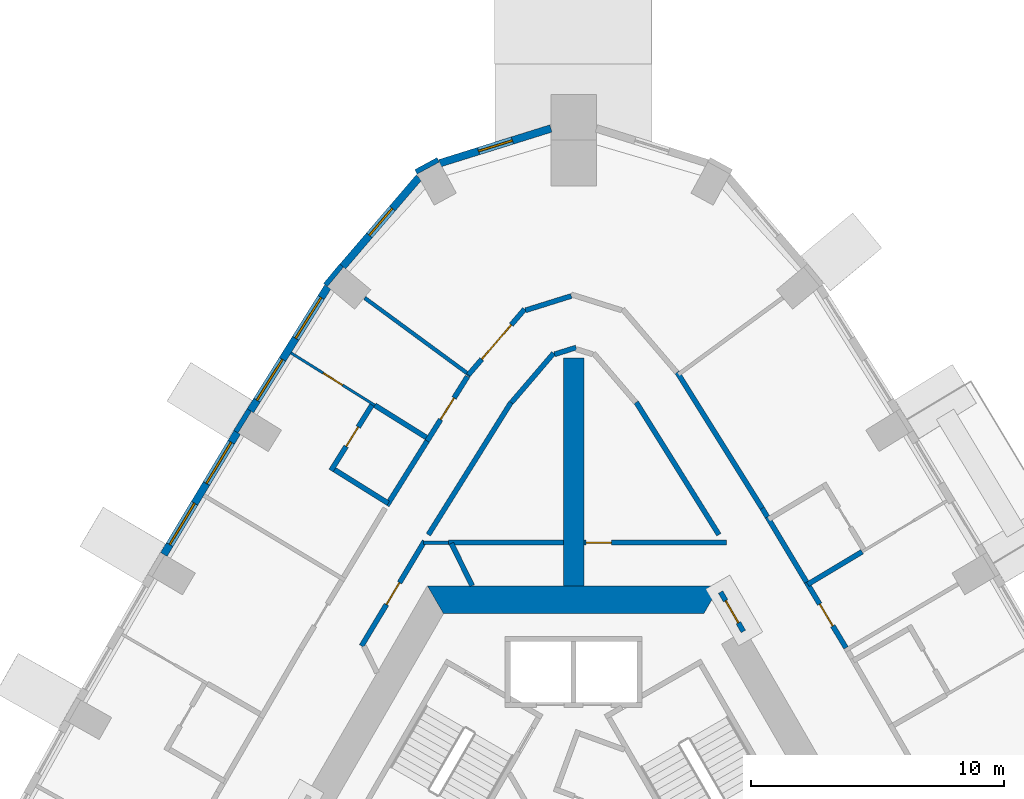
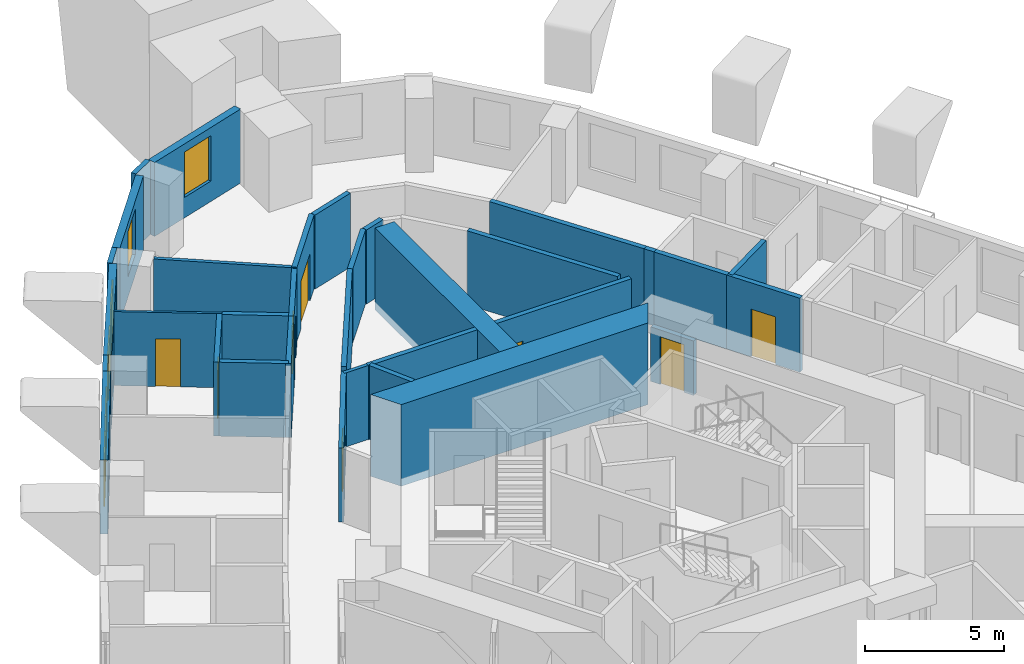
# One storey, part 8 of 12: 33 walls, 8 doors, 6 windows, 14 openings.
"""IFC4 building model written with IfcOpenShell, lengths in metres."""

from ifc_helpers import new_model, si_unit, direction, frame, frame_2d, origin, place, context, subcontext, project, spatial, polyline, rectangle, outline, extrude, material, layer, layer_set, type_object, element, fill, save


model = new_model("IFC4")

# Units and contexts
model_context = context("Model", 3, precision=1e-05, world=origin(), true_north=direction((0.0, 1.0)))
body_context = subcontext(model_context, "Body", "Model", "MODEL_VIEW")
ifc_project = project(units=[si_unit("LENGTHUNIT", "METRE"), si_unit("AREAUNIT", "SQUARE_METRE"), si_unit("VOLUMEUNIT", "CUBIC_METRE"), si_unit("PLANEANGLEUNIT", "RADIAN"), si_unit("MASSUNIT", "GRAM", prefix="KILO")], contexts=[model_context])

# Site, building, storey
site_placement = place(None, origin())
site = spatial("IfcSite", under=ifc_project, at=site_placement, CompositionType="ELEMENT")
building_placement = place(site_placement, origin())
building = spatial("IfcBuilding", under=site, at=building_placement, Name="Entoto Arch Interchange Tower", CompositionType="ELEMENT")
storey_placement = place(building_placement, frame((0.0, 0.0, 273.800048828125)))
storey = spatial("IfcBuildingStorey", under=building, at=storey_placement, Name="L63", CompositionType="ELEMENT", Elevation=273.800048828125)

# Wall
ifc_material_1 = material(Name="Concrete C40/50", Category="concrete")
ifc_layer_1 = layer(ifc_material_1, 0.800048828125)
ifc_layer_set_1 = layer_set([ifc_layer_1], Name="Concrete C40/50")
wall_type_1 = type_object("IfcWallType", Name="Buttress wall 800 C40/50", PredefinedType="SHEAR", material=ifc_layer_set_1)
wall_1_placement = place(storey_placement, frame((0.0, 12.5, -0.340087890625), z_axis=(0.0, 0.0, 1.0), x_axis=(0.0, 1.0, 0.0)))
element("IfcWall", 1, at=wall_1_placement, inside=storey, type_object=wall_type_1, Name="Buttress wall N L63", PredefinedType="SHEAR", context=body_context, shape_type="SweptSolid", body=[
    extrude(rectangle(XDim=9.0, YDim=0.800048828125, at=frame_2d((4.5, 0.0))), origin(), (0.0, 0.0, 1.0), 3.60009765625),
])

# Wall, opening, door
ifc_material_2 = material(Name="Reinforced concrete C40/50", Category="concrete")
ifc_layer_2 = layer(ifc_material_2, 0.199951171875)
ifc_layer_set_2 = layer_set([ifc_layer_2], Name="Reinforced concrete C40/50")
wall_type_2 = type_object("IfcWallType", Name="CORE GAP INFILL WALL", PredefinedType="PARTITIONING", material=ifc_layer_set_2)
wall_2_placement = place(storey_placement, frame((6.698974609375, 10.697021484375, 0.0), z_axis=(0.0, 0.0, 1.0), x_axis=(-0.499914839587, 0.866074565589, 0.0)))
wall_2 = element("IfcWall", 2, at=wall_2_placement, inside=storey, type_object=wall_type_2, Name="wall:L63:gap2", PredefinedType="PARTITIONING", context=body_context, shape_type="SweptSolid", body=[
    extrude(rectangle(XDim=1.794189453125, YDim=0.199951171875, at=frame_2d((0.89697265625, 0.0))), origin(), (0.0, 0.0, 1.0), 2.39990234375),
])
opening_1_placement = place(wall_2_placement, frame((0.39697265625, 0.0, 0.0)))
opening_1 = element("IfcOpeningElement", 3, at=opening_1_placement, cuts=wall_2, Name="Opening L63-D92", PredefinedType="OPENING", context=body_context, shape_type="SweptSolid", body=[
    extrude(rectangle(XDim=1.0, YDim=2.10009765625, at=frame_2d((0.5, 1.050048828125))), frame((0.0, 0.10986328125, 0.0), z_axis=(0.0, -1.0, 0.0), x_axis=(1.0, 0.0, 0.0)), (0.0, 0.0, 1.0), 0.219970703125),
])
ifc_material_3 = material(Name="Fire-rated Steel S235 door and frame", Category="steel")
door_type_1 = type_object("IfcDoorType", Name="DOOR FD-10 1000x2100", OperationType="SINGLE_SWING_LEFT", PredefinedType="DOOR", material=ifc_material_3)
door_1_placement = place(opening_1_placement, origin())
door_1 = element("IfcDoor", 4, at=door_1_placement, inside=storey, type_object=door_type_1, Name="door:L63:gap2", OperationType="SINGLE_SWING_LEFT", OverallHeight=2.10009765625, OverallWidth=1.0, PredefinedType="DOOR", context=body_context, shape_type="SweptSolid", body=[
    extrude(rectangle(XDim=1.0, YDim=2.10009765625, at=frame_2d((0.5, 1.050048828125))), frame((0.0, 0.02490234375, 0.0), z_axis=(0.0, -1.0, 0.0), x_axis=(1.0, 0.0, 0.0)), (0.0, 0.0, 1.0), 0.050048828125),
])
fill(opening_1, door_1)

# Wall
ifc_layer_3 = layer(ifc_material_1, 1.10009765625)
ifc_layer_set_3 = layer_set([ifc_layer_3], Name="Concrete C40/50")
wall_type_3 = type_object("IfcWallType", Name="Core wall 1100 C40/50", PredefinedType="SHEAR", material=ifc_layer_set_3)
wall_3_placement = place(storey_placement, frame((0.0, 0.0, -0.340087890625)))
element("IfcWall", 5, at=wall_3_placement, inside=storey, type_object=wall_type_3, Name="Core wall N L63", PredefinedType="SHEAR", context=body_context, shape_type="SweptSolid", body=[
    extrude(outline(polyline([(5.77392578125, 12.5), (-5.77392578125, 12.5), (-5.137939453125, 11.39990234375), (5.137939453125, 11.39990234375), (5.77392578125, 12.5)])), origin(), (0.0, 0.0, 1.0), 3.60009765625),
])

# Wall, opening, door
ifc_material_4 = material(Name="Gypsum board partition on steel studs", Category="steel")
ifc_layer_4 = layer(ifc_material_4, 0.10009765625)
ifc_layer_set_4 = layer_set([ifc_layer_4], Name="Gypsum board partition on steel studs")
wall_type_4 = type_object("IfcWallType", Name="PARTITION 100", PredefinedType="PARTITIONING", material=ifc_layer_set_4)
wall_4_placement = place(storey_placement, frame((-7.847900390625, 19.625, 0.0), z_axis=(0.0, 0.0, 1.0), x_axis=(-0.848188150314, 0.529695064794, 0.0)))
wall_4 = element("IfcWall", 6, at=wall_4_placement, inside=storey, type_object=wall_type_4, Name="wall:L63:p112", PredefinedType="PARTITIONING", context=body_context, shape_type="SweptSolid", body=[
    extrude(rectangle(XDim=3.900146484375, YDim=0.10009765625, at=frame_2d((1.9501953125, 0.0))), origin(), (0.0, 0.0, 1.0), 3.260009765625),
])
opening_2_placement = place(wall_4_placement, frame((1.5, 0.0, 0.0)))
opening_2 = element("IfcOpeningElement", 7, at=opening_2_placement, cuts=wall_4, Name="Opening L63-D11", PredefinedType="OPENING", context=body_context, shape_type="SweptSolid", body=[
    extrude(rectangle(XDim=0.89990234375, YDim=2.10009765625, at=frame_2d((0.449951171875, 1.050048828125))), frame((0.0, 0.06005859375, 0.0), z_axis=(0.0, -1.0, 0.0), x_axis=(1.0, 0.0, 0.0)), (0.0, 0.0, 1.0), 0.1201171875),
])
ifc_material_5 = material(Name="Timber door leaf in Steel S235 frame", Category="steel")
door_type_2 = type_object("IfcDoorType", Name="DOOR DS-09 900x2100", OperationType="SINGLE_SWING_LEFT", PredefinedType="DOOR", material=ifc_material_5)
door_2_placement = place(opening_2_placement, origin())
door_2 = element("IfcDoor", 8, at=door_2_placement, inside=storey, type_object=door_type_2, Name="door:L63:11", OperationType="SINGLE_SWING_RIGHT", OverallHeight=2.10009765625, OverallWidth=0.89990234375, PredefinedType="DOOR", context=body_context, shape_type="SweptSolid", body=[
    extrude(rectangle(XDim=0.89990234375, YDim=2.10009765625, at=frame_2d((0.449951171875, 1.050048828125))), frame((0.0, 0.02490234375, 0.0), z_axis=(0.0, -1.0, 0.0), x_axis=(1.0, 0.0, 0.0)), (0.0, 0.0, 1.0), 0.050048828125),
])
fill(opening_2, door_2)

# Walls
ifc_layer_5 = layer(ifc_material_4, 0.14990234375)
ifc_layer_set_5 = layer_set([ifc_layer_5], Name="Gypsum board partition on steel studs")
wall_type_5 = type_object("IfcWallType", Name="PARTITION 150", PredefinedType="PARTITIONING", material=ifc_layer_set_5)
wall_5_placement = place(storey_placement, frame((-4.93896484375, 14.199951171875, 0.0), z_axis=(0.0, 0.0, 1.0), x_axis=(-1.0, 0.0, 0.0)))
element("IfcWall", 9, at=wall_5_placement, inside=storey, type_object=wall_type_5, Name="wall:L63:p074", PredefinedType="PARTITIONING", context=body_context, shape_type="SweptSolid", body=[
    extrude(rectangle(XDim=0.985107421875, YDim=0.14990234375, at=frame_2d((0.49267578125, 0.0))), origin(), (0.0, 0.0, 1.0), 3.260009765625),
])
wall_6_placement = place(storey_placement, frame((-4.05810546875, 20.784912109375, 0.0), z_axis=(0.0, 0.0, 1.0), x_axis=(-0.805947688418, 0.591986759593, 0.0)))
element("IfcWall", 10, at=wall_6_placement, inside=storey, type_object=wall_type_5, Name="wall:L63:p111", PredefinedType="PARTITIONING", context=body_context, shape_type="SweptSolid", body=[
    extrude(rectangle(XDim=5.1962890625, YDim=0.14990234375, at=frame_2d((2.59814453125, 0.0))), origin(), (0.0, 0.0, 1.0), 3.260009765625),
])
ifc_layer_6 = layer(ifc_material_4, 0.199951171875)
ifc_layer_set_6 = layer_set([ifc_layer_6], Name="Gypsum board partition on steel studs")
wall_type_6 = type_object("IfcWallType", Name="PARTITION 200", PredefinedType="PARTITIONING", material=ifc_layer_set_6)
wall_7_placement = place(storey_placement, frame((-4.0048828125, 12.5, 0.0), z_axis=(0.0, 0.0, 1.0), x_axis=(-0.440355460167, 0.89782351757, 0.0)))
element("IfcWall", 11, at=wall_7_placement, inside=storey, type_object=wall_type_6, Name="wall:L63:p006", PredefinedType="PARTITIONING", context=body_context, shape_type="SweptSolid", body=[
    extrude(rectangle(XDim=1.868896484375, YDim=0.199951171875, at=frame_2d((0.9345703125, 0.0))), origin(), (0.0, 0.0, 1.0), 3.260009765625),
])

# Wall, opening, door
wall_8_placement = place(storey_placement, frame((-5.885009765625, 14.263916015625, 0.0), z_axis=(0.0, 0.0, 1.0), x_axis=(-0.514971458129, -0.857207324579, 0.0)))
wall_8 = element("IfcWall", 12, at=wall_8_placement, inside=storey, type_object=wall_type_6, Name="wall:L63:p007", PredefinedType="PARTITIONING", context=body_context, shape_type="SweptSolid", body=[
    extrude(rectangle(XDim=4.82958984375, YDim=0.199951171875, at=frame_2d((2.414794921875, 0.0))), origin(), (0.0, 0.0, 1.0), 3.260009765625),
])
opening_3_placement = place(wall_8_placement, frame((1.9150390625, 0.0, 0.0)))
opening_3 = element("IfcOpeningElement", 13, at=opening_3_placement, cuts=wall_8, Name="Opening L63-D31", PredefinedType="OPENING", context=body_context, shape_type="SweptSolid", body=[
    extrude(rectangle(XDim=1.0, YDim=2.10009765625, at=frame_2d((0.5, 1.050048828125))), frame((0.0, 0.10986328125, 0.0), z_axis=(0.0, -1.0, 0.0), x_axis=(1.0, 0.0, 0.0)), (0.0, 0.0, 1.0), 0.219970703125),
])
door_type_3 = type_object("IfcDoorType", Name="DOOR DS-10 1000x2100", OperationType="SINGLE_SWING_LEFT", PredefinedType="DOOR", material=ifc_material_5)
door_3_placement = place(opening_3_placement, origin())
door_3 = element("IfcDoor", 14, at=door_3_placement, inside=storey, type_object=door_type_3, Name="door:L63:31", OperationType="SINGLE_SWING_LEFT", OverallHeight=2.10009765625, OverallWidth=1.0, PredefinedType="DOOR", context=body_context, shape_type="SweptSolid", body=[
    extrude(rectangle(XDim=1.0, YDim=2.10009765625, at=frame_2d((0.5, 1.050048828125))), frame((0.0, 0.02490234375, 0.0), z_axis=(0.0, -1.0, 0.0), x_axis=(1.0, 0.0, 0.0)), (0.0, 0.0, 1.0), 0.050048828125),
])
fill(opening_3, door_3)

# Walls
wall_9_placement = place(storey_placement, frame((-4.93896484375, 14.199951171875, 0.0), z_axis=(0.0, 0.0, 1.0), x_axis=(1.0, 0.0, 0.0)))
element("IfcWall", 15, at=wall_9_placement, inside=storey, type_object=wall_type_6, Name="wall:L63:p012", PredefinedType="PARTITIONING", context=body_context, shape_type="SweptSolid", body=[
    extrude(rectangle(XDim=4.5390625, YDim=0.199951171875, at=frame_2d((2.26953125, 0.0))), origin(), (0.0, 0.0, 1.0), 3.260009765625),
])
wall_10_placement = place(storey_placement, frame((5.73388671875, 14.51611328125, 0.0), z_axis=(0.0, 0.0, 1.0), x_axis=(-0.529852912827, 0.848089553508, 0.0)))
element("IfcWall", 16, at=wall_10_placement, inside=storey, type_object=wall_type_6, Name="wall:L63:p013", PredefinedType="PARTITIONING", context=body_context, shape_type="SweptSolid", body=[
    extrude(rectangle(XDim=6.161865234375, YDim=0.199951171875, at=frame_2d((3.0810546875, 0.0))), origin(), (0.0, 0.0, 1.0), 3.260009765625),
])
wall_11_placement = place(storey_placement, frame((0.094970703125, 21.903076171875, 0.0), z_axis=(0.0, 0.0, 1.0), x_axis=(-0.954216896292, -0.299115554311, 0.0)))
element("IfcWall", 17, at=wall_11_placement, inside=storey, type_object=wall_type_6, Name="wall:L63:p016", PredefinedType="PARTITIONING", context=body_context, shape_type="SweptSolid", body=[
    extrude(rectangle(XDim=0.892822265625, YDim=0.199951171875, at=frame_2d((0.4462890625, 0.0))), origin(), (0.0, 0.0, 1.0), 3.260009765625),
])
wall_12_placement = place(storey_placement, frame((-0.787109375, 21.681884765625, 0.0), z_axis=(0.0, 0.0, 1.0), x_axis=(-0.650650354416, -0.759377453114, 0.0)))
element("IfcWall", 18, at=wall_12_placement, inside=storey, type_object=wall_type_6, Name="wall:L63:p017", PredefinedType="PARTITIONING", context=body_context, shape_type="SweptSolid", body=[
    extrude(rectangle(XDim=2.566650390625, YDim=0.199951171875, at=frame_2d((1.283203125, 0.0))), origin(), (0.0, 0.0, 1.0), 3.260009765625),
])
wall_13_placement = place(storey_placement, frame((-2.468994140625, 19.741943359375, 0.0), z_axis=(0.0, 0.0, 1.0), x_axis=(-0.529852912827, -0.848089553508, 0.0)))
element("IfcWall", 19, at=wall_13_placement, inside=storey, type_object=wall_type_6, Name="wall:L63:p018", PredefinedType="PARTITIONING", context=body_context, shape_type="SweptSolid", body=[
    extrude(rectangle(XDim=6.161865234375, YDim=0.199951171875, at=frame_2d((3.0810546875, 0.0))), origin(), (0.0, 0.0, 1.0), 3.260009765625),
])

# Wall, opening, door
wall_14_placement = place(storey_placement, frame((9.19189453125, 12.64306640625, 0.0), z_axis=(0.0, 0.0, 1.0), x_axis=(0.51491096884, -0.857243660909, 0.0)))
wall_14 = element("IfcWall", 20, at=wall_14_placement, inside=storey, type_object=wall_type_6, Name="wall:L63:p049", PredefinedType="PARTITIONING", context=body_context, shape_type="SweptSolid", body=[
    extrude(rectangle(XDim=3.02587890625, YDim=0.199951171875, at=frame_2d((1.512939453125, 0.0))), origin(), (0.0, 0.0, 1.0), 3.260009765625),
])
opening_4_placement = place(wall_14_placement, frame((1.011962890625, 0.0, 0.0)))
opening_4 = element("IfcOpeningElement", 21, at=opening_4_placement, cuts=wall_14, Name="Opening L63-D07", PredefinedType="OPENING", context=body_context, shape_type="SweptSolid", body=[
    extrude(rectangle(XDim=1.0, YDim=2.10009765625, at=frame_2d((0.5, 1.050048828125))), frame((0.0, 0.10986328125, 0.0), z_axis=(0.0, -1.0, 0.0), x_axis=(1.0, 0.0, 0.0)), (0.0, 0.0, 1.0), 0.219970703125),
])
door_4_placement = place(opening_4_placement, origin())
door_4 = element("IfcDoor", 22, at=door_4_placement, inside=storey, type_object=door_type_1, Name="door:L63:07", OperationType="SINGLE_SWING_LEFT", OverallHeight=2.10009765625, OverallWidth=1.0, PredefinedType="DOOR", context=body_context, shape_type="SweptSolid", body=[
    extrude(rectangle(XDim=1.0, YDim=2.10009765625, at=frame_2d((0.5, 1.050048828125))), frame((0.0, 0.02490234375, 0.0), z_axis=(0.0, -1.0, 0.0), x_axis=(1.0, 0.0, 0.0)), (0.0, 0.0, 1.0), 0.050048828125),
])
fill(opening_4, door_4)

# Walls
wall_15_placement = place(storey_placement, frame((4.0849609375, 20.928955078125, 0.0), z_axis=(0.0, 0.0, 1.0), x_axis=(0.530002406791, -0.847996137253, 0.0)))
element("IfcWall", 23, at=wall_15_placement, inside=storey, type_object=wall_type_6, Name="wall:L63:p050", PredefinedType="PARTITIONING", context=body_context, shape_type="SweptSolid", body=[
    extrude(rectangle(XDim=6.330078125, YDim=0.199951171875, at=frame_2d((3.1650390625, 0.0))), origin(), (0.0, 0.0, 1.0), 3.260009765625),
])
wall_16_placement = place(storey_placement, frame((7.43994140625, 15.56103515625, 0.0), z_axis=(0.0, 0.0, 1.0), x_axis=(0.514229456049, -0.857652649114, 0.0)))
element("IfcWall", 24, at=wall_16_placement, inside=storey, type_object=wall_type_6, Name="wall:L63:p051", PredefinedType="PARTITIONING", context=body_context, shape_type="SweptSolid", body=[
    extrude(rectangle(XDim=0.404541015625, YDim=0.199951171875, at=frame_2d((0.2021484375, 0.0))), origin(), (0.0, 0.0, 1.0), 3.260009765625),
])
wall_17_placement = place(storey_placement, frame((7.64794921875, 15.214111328125, 0.0), z_axis=(0.0, 0.0, 1.0), x_axis=(0.515118014871, -0.857119262854, 0.0)))
element("IfcWall", 25, at=wall_17_placement, inside=storey, type_object=wall_type_6, Name="wall:L63:p052", PredefinedType="PARTITIONING", context=body_context, shape_type="SweptSolid", body=[
    extrude(rectangle(XDim=2.999755859375, YDim=0.199951171875, at=frame_2d((1.5, 0.0))), origin(), (0.0, 0.0, 1.0), 3.260009765625),
])

# Wall, opening, door
wall_18_placement = place(storey_placement, frame((-4.155029296875, 20.824951171875, 0.0), z_axis=(0.0, 0.0, 1.0), x_axis=(0.650396970678, 0.75959448427, 0.0)))
wall_18 = element("IfcWall", 26, at=wall_18_placement, inside=storey, type_object=wall_type_6, Name="wall:L63:p053", PredefinedType="PARTITIONING", context=body_context, shape_type="SweptSolid", body=[
    extrude(rectangle(XDim=3.416259765625, YDim=0.199951171875, at=frame_2d((1.7080078125, 0.0))), origin(), (0.0, 0.0, 1.0), 3.260009765625),
])
opening_5_placement = place(wall_18_placement, frame((0.80810546875, 0.0, 0.0)))
opening_5 = element("IfcOpeningElement", 27, at=opening_5_placement, cuts=wall_18, Name="Opening L63-D18", PredefinedType="OPENING", context=body_context, shape_type="SweptSolid", body=[
    extrude(rectangle(XDim=1.800048828125, YDim=2.10009765625, at=frame_2d((0.89990234375, 1.050048828125))), frame((0.0, 0.10986328125, 0.0), z_axis=(0.0, -1.0, 0.0), x_axis=(1.0, 0.0, 0.0)), (0.0, 0.0, 1.0), 0.219970703125),
])
door_type_4 = type_object("IfcDoorType", Name="DOOR DD-18 1800x2100", OperationType="DOUBLE_DOOR_SINGLE_SWING", PredefinedType="DOOR", material=ifc_material_5)
door_5_placement = place(opening_5_placement, origin())
door_5 = element("IfcDoor", 28, at=door_5_placement, inside=storey, type_object=door_type_4, Name="door:L63:18", OperationType="DOUBLE_DOOR_SINGLE_SWING", OverallHeight=2.10009765625, OverallWidth=1.800048828125, PredefinedType="DOOR", context=body_context, shape_type="SweptSolid", body=[
    extrude(rectangle(XDim=1.800048828125, YDim=2.10009765625, at=frame_2d((0.89990234375, 1.050048828125))), frame((0.0, 0.02490234375, 0.0), z_axis=(0.0, -1.0, 0.0), x_axis=(1.0, 0.0, 0.0)), (0.0, 0.0, 1.0), 0.050048828125),
])
fill(opening_5, door_5)

# Wall
wall_19_placement = place(storey_placement, frame((-1.902099609375, 23.373046875, 0.0), z_axis=(0.0, 0.0, 1.0), x_axis=(0.954447851072, 0.298377779976, 0.0)))
element("IfcWall", 29, at=wall_19_placement, inside=storey, type_object=wall_type_6, Name="wall:L63:p054", PredefinedType="PARTITIONING", context=body_context, shape_type="SweptSolid", body=[
    extrude(rectangle(XDim=1.893310546875, YDim=0.199951171875, at=frame_2d((0.94677734375, 0.0))), origin(), (0.0, 0.0, 1.0), 3.260009765625),
])

# Wall, opening, door
wall_20_placement = place(storey_placement, frame((-5.781005859375, 18.215087890625, 0.0), z_axis=(0.0, 0.0, 1.0), x_axis=(0.530028199927, 0.847980015851, 0.0)))
wall_20 = element("IfcWall", 30, at=wall_20_placement, inside=storey, type_object=wall_type_6, Name="wall:L63:p057", PredefinedType="PARTITIONING", context=body_context, shape_type="SweptSolid", body=[
    extrude(rectangle(XDim=3.0, YDim=0.199951171875, at=frame_2d((1.5, 0.0))), origin(), (0.0, 0.0, 1.0), 3.260009765625),
])
opening_6_placement = place(wall_20_placement, frame((1.0, 0.0, 0.0)))
opening_6 = element("IfcOpeningElement", 31, at=opening_6_placement, cuts=wall_20, Name="Opening L63-D10", PredefinedType="OPENING", context=body_context, shape_type="SweptSolid", body=[
    extrude(rectangle(XDim=1.0, YDim=2.10009765625, at=frame_2d((0.5, 1.050048828125))), frame((0.0, 0.10986328125, 0.0), z_axis=(0.0, -1.0, 0.0), x_axis=(1.0, 0.0, 0.0)), (0.0, 0.0, 1.0), 0.219970703125),
])
door_6_placement = place(opening_6_placement, origin())
door_6 = element("IfcDoor", 32, at=door_6_placement, inside=storey, type_object=door_type_1, Name="door:L63:10", OperationType="SINGLE_SWING_RIGHT", OverallHeight=2.10009765625, OverallWidth=1.0, PredefinedType="DOOR", context=body_context, shape_type="SweptSolid", body=[
    extrude(rectangle(XDim=1.0, YDim=2.10009765625, at=frame_2d((0.5, 1.050048828125))), frame((0.0, 0.02490234375, 0.0), z_axis=(0.0, -1.0, 0.0), x_axis=(1.0, 0.0, 0.0)), (0.0, 0.0, 1.0), 0.050048828125),
])
fill(opening_6, door_6)

# Walls
wall_21_placement = place(storey_placement, frame((-7.37109375, 15.6708984375, 0.0), z_axis=(0.0, 0.0, 1.0), x_axis=(0.529991625428, 0.84800287557, 0.0)))
element("IfcWall", 33, at=wall_21_placement, inside=storey, type_object=wall_type_6, Name="wall:L63:p059", PredefinedType="PARTITIONING", context=body_context, shape_type="SweptSolid", body=[
    extrude(rectangle(XDim=3.000244140625, YDim=0.199951171875, at=frame_2d((1.5, 0.0))), origin(), (0.0, 0.0, 1.0), 3.260009765625),
])
wall_22_placement = place(storey_placement, frame((9.243896484375, 12.556884765625, 0.0), z_axis=(0.0, 0.0, 1.0), x_axis=(0.857268798444, 0.514869116586, 0.0)))
element("IfcWall", 34, at=wall_22_placement, inside=storey, type_object=wall_type_6, Name="wall:L63:p107", PredefinedType="PARTITIONING", context=body_context, shape_type="SweptSolid", body=[
    extrude(rectangle(XDim=2.499755859375, YDim=0.199951171875, at=frame_2d((1.25, 0.0))), origin(), (0.0, 0.0, 1.0), 3.260009765625),
])
wall_23_placement = place(storey_placement, frame((-5.81298828125, 18.35302734375, 0.0), z_axis=(0.0, 0.0, 1.0), x_axis=(-0.847969725239, 0.530044663287, 0.0)))
element("IfcWall", 35, at=wall_23_placement, inside=storey, type_object=wall_type_6, Name="wall:L63:p113", PredefinedType="PARTITIONING", context=body_context, shape_type="SweptSolid", body=[
    extrude(rectangle(XDim=2.399658203125, YDim=0.199951171875, at=frame_2d((1.19970703125, 0.0))), origin(), (0.0, 0.0, 1.0), 3.260009765625),
])

# Wall, opening, door
wall_24_placement = place(storey_placement, frame((-7.906982421875, 19.719970703125, 0.0), z_axis=(0.0, 0.0, 1.0), x_axis=(-0.529915322147, -0.848050559433, 0.0)))
wall_24 = element("IfcWall", 36, at=wall_24_placement, inside=storey, type_object=wall_type_6, Name="wall:L63:p114", PredefinedType="PARTITIONING", context=body_context, shape_type="SweptSolid", body=[
    extrude(rectangle(XDim=3.1494140625, YDim=0.199951171875, at=frame_2d((1.57470703125, 0.0))), origin(), (0.0, 0.0, 1.0), 3.260009765625),
])
opening_7_placement = place(wall_24_placement, frame((1.125, 0.0, 0.0)))
opening_7 = element("IfcOpeningElement", 37, at=opening_7_placement, cuts=wall_24, Name="Opening L63-D12", PredefinedType="OPENING", context=body_context, shape_type="SweptSolid", body=[
    extrude(rectangle(XDim=0.89990234375, YDim=2.10009765625, at=frame_2d((0.449951171875, 1.050048828125))), frame((0.0, 0.10986328125, 0.0), z_axis=(0.0, -1.0, 0.0), x_axis=(1.0, 0.0, 0.0)), (0.0, 0.0, 1.0), 0.219970703125),
])
door_7_placement = place(opening_7_placement, origin())
door_7 = element("IfcDoor", 38, at=door_7_placement, inside=storey, type_object=door_type_2, Name="door:L63:12", OperationType="SINGLE_SWING_LEFT", OverallHeight=2.10009765625, OverallWidth=0.89990234375, PredefinedType="DOOR", context=body_context, shape_type="SweptSolid", body=[
    extrude(rectangle(XDim=0.89990234375, YDim=2.10009765625, at=frame_2d((0.449951171875, 1.050048828125))), frame((0.0, 0.02490234375, 0.0), z_axis=(0.0, -1.0, 0.0), x_axis=(1.0, 0.0, 0.0)), (0.0, 0.0, 1.0), 0.050048828125),
])
fill(opening_7, door_7)

# Wall
wall_25_placement = place(storey_placement, frame((-9.43798828125, 17.0810546875, 0.0), z_axis=(0.0, 0.0, 1.0), x_axis=(0.847992817371, -0.530007718516, 0.0)))
element("IfcWall", 39, at=wall_25_placement, inside=storey, type_object=wall_type_6, Name="wall:L63:p115", PredefinedType="PARTITIONING", context=body_context, shape_type="SweptSolid", body=[
    extrude(rectangle(XDim=2.499755859375, YDim=0.199951171875, at=frame_2d((1.25, 0.0))), origin(), (0.0, 0.0, 1.0), 3.260009765625),
])

# Wall, opening, door
wall_26_placement = place(storey_placement, frame((0.39990234375, 14.199951171875, 0.0), z_axis=(0.0, 0.0, 1.0), x_axis=(1.0, 0.0, 0.0)))
wall_26 = element("IfcWall", 40, at=wall_26_placement, inside=storey, type_object=wall_type_6, Name="wall:L63:p012", PredefinedType="PARTITIONING", context=body_context, shape_type="SweptSolid", body=[
    extrude(rectangle(XDim=5.6240234375, YDim=0.199951171875, at=frame_2d((2.81201171875, 0.0))), origin(), (0.0, 0.0, 1.0), 3.260009765625),
])
opening_8_placement = place(wall_26_placement, frame((0.093017578125, 0.0, 0.0)))
opening_8 = element("IfcOpeningElement", 41, at=opening_8_placement, cuts=wall_26, Name="Opening L63-D25", PredefinedType="OPENING", context=body_context, shape_type="SweptSolid", body=[
    extrude(rectangle(XDim=1.0, YDim=2.10009765625, at=frame_2d((0.5, 1.050048828125))), frame((0.0, 0.10986328125, 0.0), z_axis=(0.0, -1.0, 0.0), x_axis=(1.0, 0.0, 0.0)), (0.0, 0.0, 1.0), 0.219970703125),
])
door_8_placement = place(opening_8_placement, origin())
door_8 = element("IfcDoor", 42, at=door_8_placement, inside=storey, type_object=door_type_3, Name="door:L63:25", OperationType="SINGLE_SWING_LEFT", OverallHeight=2.10009765625, OverallWidth=1.0, PredefinedType="DOOR", context=body_context, shape_type="SweptSolid", body=[
    extrude(rectangle(XDim=1.0, YDim=2.10009765625, at=frame_2d((0.5, 1.050048828125))), frame((0.0, 0.02490234375, 0.0), z_axis=(0.0, -1.0, 0.0), x_axis=(1.0, 0.0, 0.0)), (0.0, 0.0, 1.0), 0.050048828125),
])
fill(opening_8, door_8)

# Wall, opening, window
ifc_material_6 = material(Name="Welded tuff (ignimbrite) cladding, warm buff", Category="masonry")
ifc_layer_7 = layer(ifc_material_6, 0.300048828125)
ifc_layer_set_7 = layer_set([ifc_layer_7], Name="Welded tuff (ignimbrite) cladding, warm buff")
wall_type_7 = type_object("IfcWallType", Name="STONE INFILL WALL 300", PredefinedType="STANDARD", material=ifc_layer_set_7)
wall_27_placement = place(storey_placement, frame((-0.89892578125, 30.550048828125, 0.0), z_axis=(0.0, 0.0, 1.0), x_axis=(-0.954438278963, -0.298408397417, 0.0)))
wall_27 = element("IfcWall", 43, at=wall_27_placement, inside=storey, type_object=wall_type_7, Name="Facade wall N-03 L63", PredefinedType="STANDARD", context=body_context, shape_type="SweptSolid", body=[
    extrude(rectangle(XDim=4.5849609375, YDim=0.300048828125, at=frame_2d((2.29248046875, 0.0))), origin(), (0.0, 0.0, 1.0), 3.260009765625),
])
opening_9_placement = place(wall_27_placement, frame((1.592041015625, 0.0, 0.89990234375)))
opening_9 = element("IfcOpeningElement", 44, at=opening_9_placement, cuts=wall_27, Name="Opening WH-B", PredefinedType="OPENING", context=body_context, shape_type="SweptSolid", body=[
    extrude(rectangle(XDim=1.39990234375, YDim=2.0, at=frame_2d((0.699951171875, 1.0))), frame((0.0, 0.16015625, 0.0), z_axis=(0.0, -1.0, 0.0), x_axis=(1.0, 0.0, 0.0)), (0.0, 0.0, 1.0), 0.320068359375),
])
ifc_material_7 = material(Name="Clear glass, low-e double glazed", Category="glass")
window_type_1 = type_object("IfcWindowType", Name="WINDOW WH-B 1400x2000", PartitioningType="DOUBLE_PANEL_VERTICAL", PredefinedType="WINDOW", material=ifc_material_7)
window_1_placement = place(opening_9_placement, origin())
window_1 = element("IfcWindow", 45, at=window_1_placement, inside=storey, type_object=window_type_1, Name="Window WH-B N-03 L63", OverallHeight=2.0, OverallWidth=1.39990234375, PartitioningType="SINGLE_PANEL", PredefinedType="WINDOW", context=body_context, shape_type="SweptSolid", body=[
    extrude(rectangle(XDim=1.39990234375, YDim=2.0, at=frame_2d((0.699951171875, 1.0))), frame((0.0, 0.030029296875, 0.0), z_axis=(0.0, -1.0, 0.0), x_axis=(1.0, 0.0, 0.0)), (0.0, 0.0, 1.0), 0.06005859375),
])
fill(opening_9, window_1)

wall_28_placement = place(storey_placement, frame((-6.10498046875, 28.616943359375, 0.0), z_axis=(0.0, 0.0, 1.0), x_axis=(-0.650534879197, -0.759476379454, 0.0)))
wall_28 = element("IfcWall", 46, at=wall_28_placement, inside=storey, type_object=wall_type_7, Name="Facade wall N-04 L63", PredefinedType="STANDARD", context=body_context, shape_type="SweptSolid", body=[
    extrude(rectangle(XDim=4.62548828125, YDim=0.300048828125, at=frame_2d((2.312744140625, 0.0))), origin(), (0.0, 0.0, 1.0), 3.260009765625),
])
opening_10_placement = place(wall_28_placement, frame((1.613037109375, 0.0, 0.89990234375)))
opening_10 = element("IfcOpeningElement", 47, at=opening_10_placement, cuts=wall_28, Name="Opening WH-B", PredefinedType="OPENING", context=body_context, shape_type="SweptSolid", body=[
    extrude(rectangle(XDim=1.39990234375, YDim=2.0, at=frame_2d((0.699951171875, 1.0))), frame((0.0, 0.16015625, 0.0), z_axis=(0.0, -1.0, 0.0), x_axis=(1.0, 0.0, 0.0)), (0.0, 0.0, 1.0), 0.320068359375),
])
window_2_placement = place(opening_10_placement, origin())
window_2 = element("IfcWindow", 48, at=window_2_placement, inside=storey, type_object=window_type_1, Name="Window WH-B N-04 L63", OverallHeight=2.0, OverallWidth=1.39990234375, PartitioningType="SINGLE_PANEL", PredefinedType="WINDOW", context=body_context, shape_type="SweptSolid", body=[
    extrude(rectangle(XDim=1.39990234375, YDim=2.0, at=frame_2d((0.699951171875, 1.0))), frame((0.0, 0.030029296875, 0.0), z_axis=(0.0, -1.0, 0.0), x_axis=(1.0, 0.0, 0.0)), (0.0, 0.0, 1.0), 0.06005859375),
])
fill(opening_10, window_2)

# Wall, openings, windows
wall_29_placement = place(storey_placement, frame((-9.7041015625, 24.297119140625, 0.0), z_axis=(0.0, 0.0, 1.0), x_axis=(-0.529915244244, -0.848050608111, 0.0)))
wall_29 = element("IfcWall", 49, at=wall_29_placement, inside=storey, type_object=wall_type_7, Name="Facade wall NW-01 L63", PredefinedType="STANDARD", context=body_context, shape_type="SweptSolid", body=[
    extrude(rectangle(XDim=5.7685546875, YDim=0.300048828125, at=frame_2d((2.88427734375, 0.0))), origin(), (0.0, 0.0, 1.0), 3.260009765625),
])
opening_11_placement = place(wall_29_placement, frame((0.491943359375, 0.0, 0.89990234375)))
opening_11 = element("IfcOpeningElement", 50, at=opening_11_placement, cuts=wall_29, Name="Opening WH-C", PredefinedType="OPENING", context=body_context, shape_type="SweptSolid", body=[
    extrude(rectangle(XDim=1.89990234375, YDim=2.0, at=frame_2d((0.949951171875, 1.0))), frame((0.0, 0.16015625, 0.0), z_axis=(0.0, -1.0, 0.0), x_axis=(1.0, 0.0, 0.0)), (0.0, 0.0, 1.0), 0.320068359375),
])
opening_12_placement = place(wall_29_placement, frame((3.3759765625, 0.0, 0.89990234375)))
opening_12 = element("IfcOpeningElement", 51, at=opening_12_placement, cuts=wall_29, Name="Opening WH-C", PredefinedType="OPENING", context=body_context, shape_type="SweptSolid", body=[
    extrude(rectangle(XDim=1.89990234375, YDim=2.0, at=frame_2d((0.949951171875, 1.0))), frame((0.0, 0.16015625, 0.0), z_axis=(0.0, -1.0, 0.0), x_axis=(1.0, 0.0, 0.0)), (0.0, 0.0, 1.0), 0.320068359375),
])
window_type_2 = type_object("IfcWindowType", Name="WINDOW WH-C 1900x2000", PartitioningType="DOUBLE_PANEL_VERTICAL", PredefinedType="WINDOW", material=ifc_material_7)
window_3_placement = place(opening_11_placement, origin())
window_3 = element("IfcWindow", 52, at=window_3_placement, inside=storey, type_object=window_type_2, Name="Window WH-C NW-01 L63", OverallHeight=2.0, OverallWidth=1.89990234375, PartitioningType="SINGLE_PANEL", PredefinedType="WINDOW", context=body_context, shape_type="SweptSolid", body=[
    extrude(rectangle(XDim=1.89990234375, YDim=2.0, at=frame_2d((0.949951171875, 1.0))), frame((0.0, 0.030029296875, 0.0), z_axis=(0.0, -1.0, 0.0), x_axis=(1.0, 0.0, 0.0)), (0.0, 0.0, 1.0), 0.06005859375),
])
fill(opening_11, window_3)
window_4_placement = place(opening_12_placement, origin())
window_4 = element("IfcWindow", 53, at=window_4_placement, inside=storey, type_object=window_type_2, Name="Window WH-C NW-01 L63", OverallHeight=2.0, OverallWidth=1.89990234375, PartitioningType="SINGLE_PANEL", PredefinedType="WINDOW", context=body_context, shape_type="SweptSolid", body=[
    extrude(rectangle(XDim=1.89990234375, YDim=2.0, at=frame_2d((0.949951171875, 1.0))), frame((0.0, 0.030029296875, 0.0), z_axis=(0.0, -1.0, 0.0), x_axis=(1.0, 0.0, 0.0)), (0.0, 0.0, 1.0), 0.06005859375),
])
fill(opening_12, window_4)

wall_30_placement = place(storey_placement, frame((-13.281982421875, 18.553955078125, 0.0), z_axis=(0.0, 0.0, 1.0), x_axis=(-0.515006791362, -0.857186096977, 0.0)))
wall_30 = element("IfcWall", 54, at=wall_30_placement, inside=storey, type_object=wall_type_7, Name="Facade wall NW-02 L63", PredefinedType="STANDARD", context=body_context, shape_type="SweptSolid", body=[
    extrude(rectangle(XDim=5.619384765625, YDim=0.300048828125, at=frame_2d((2.8095703125, 0.0))), origin(), (0.0, 0.0, 1.0), 3.260009765625),
])
opening_13_placement = place(wall_30_placement, frame((0.455078125, 0.0, 0.89990234375)))
opening_13 = element("IfcOpeningElement", 55, at=opening_13_placement, cuts=wall_30, Name="Opening WH-C", PredefinedType="OPENING", context=body_context, shape_type="SweptSolid", body=[
    extrude(rectangle(XDim=1.89990234375, YDim=2.0, at=frame_2d((0.949951171875, 1.0))), frame((0.0, 0.16015625, 0.0), z_axis=(0.0, -1.0, 0.0), x_axis=(1.0, 0.0, 0.0)), (0.0, 0.0, 1.0), 0.320068359375),
])
opening_14_placement = place(wall_30_placement, frame((3.264892578125, 0.0, 0.89990234375)))
opening_14 = element("IfcOpeningElement", 56, at=opening_14_placement, cuts=wall_30, Name="Opening WH-C", PredefinedType="OPENING", context=body_context, shape_type="SweptSolid", body=[
    extrude(rectangle(XDim=1.89990234375, YDim=2.0, at=frame_2d((0.949951171875, 1.0))), frame((0.0, 0.16015625, 0.0), z_axis=(0.0, -1.0, 0.0), x_axis=(1.0, 0.0, 0.0)), (0.0, 0.0, 1.0), 0.320068359375),
])
window_5_placement = place(opening_13_placement, origin())
window_5 = element("IfcWindow", 57, at=window_5_placement, inside=storey, type_object=window_type_2, Name="Window WH-C NW-02 L63", OverallHeight=2.0, OverallWidth=1.89990234375, PartitioningType="SINGLE_PANEL", PredefinedType="WINDOW", context=body_context, shape_type="SweptSolid", body=[
    extrude(rectangle(XDim=1.89990234375, YDim=2.0, at=frame_2d((0.949951171875, 1.0))), frame((0.0, 0.030029296875, 0.0), z_axis=(0.0, -1.0, 0.0), x_axis=(1.0, 0.0, 0.0)), (0.0, 0.0, 1.0), 0.06005859375),
])
fill(opening_13, window_5)
window_6_placement = place(opening_14_placement, origin())
window_6 = element("IfcWindow", 58, at=window_6_placement, inside=storey, type_object=window_type_2, Name="Window WH-C NW-02 L63", OverallHeight=2.0, OverallWidth=1.89990234375, PartitioningType="SINGLE_PANEL", PredefinedType="WINDOW", context=body_context, shape_type="SweptSolid", body=[
    extrude(rectangle(XDim=1.89990234375, YDim=2.0, at=frame_2d((0.949951171875, 1.0))), frame((0.0, 0.030029296875, 0.0), z_axis=(0.0, -1.0, 0.0), x_axis=(1.0, 0.0, 0.0)), (0.0, 0.0, 1.0), 0.06005859375),
])
fill(opening_14, window_6)

# Walls
ifc_layer_8 = layer(ifc_material_6, 0.199951171875)
ifc_layer_set_8 = layer_set([ifc_layer_8], Name="Welded tuff (ignimbrite) cladding, warm buff")
wall_type_8 = type_object("IfcWallType", Name="STONE PIER CLADDING 200", PredefinedType="STANDARD", material=ifc_layer_set_8)
wall_31_placement = place(storey_placement, frame((-5.346923828125, 29.31494140625, 0.0), z_axis=(0.0, 0.0, 1.0), x_axis=(-0.878305841364, -0.478099204168, 0.0)))
element("IfcWall", 59, at=wall_31_placement, inside=storey, type_object=wall_type_8, Name="Stone pier N3 L63", PredefinedType="STANDARD", context=body_context, shape_type="SweptSolid", body=[
    extrude(rectangle(XDim=0.999755859375, YDim=0.199951171875, at=frame_2d((0.5, 0.0))), origin(), (0.0, 0.0, 1.0), 3.260009765625),
])
wall_32_placement = place(storey_placement, frame((-9.157958984375, 25.14208984375, 0.0), z_axis=(0.0, 0.0, 1.0), x_axis=(-0.637972365578, -0.770059257953, 0.0)))
element("IfcWall", 60, at=wall_32_placement, inside=storey, type_object=wall_type_8, Name="Stone pier NW01 L63", PredefinedType="STANDARD", context=body_context, shape_type="SweptSolid", body=[
    extrude(rectangle(XDim=1.0, YDim=0.199951171875, at=frame_2d((0.5, 0.0))), origin(), (0.0, 0.0, 1.0), 3.260009765625),
])
wall_33_placement = place(storey_placement, frame((-12.804931640625, 19.43408203125, 0.0), z_axis=(0.0, 0.0, 1.0), x_axis=(-0.525825307325, -0.850592585306, 0.0)))
element("IfcWall", 61, at=wall_33_placement, inside=storey, type_object=wall_type_8, Name="Stone pier NW02 L63", PredefinedType="STANDARD", context=body_context, shape_type="SweptSolid", body=[
    extrude(rectangle(XDim=1.00048828125, YDim=0.199951171875, at=frame_2d((0.500244140625, 0.0))), origin(), (0.0, 0.0, 1.0), 3.260009765625),
])

save(model, "model.ifc")
